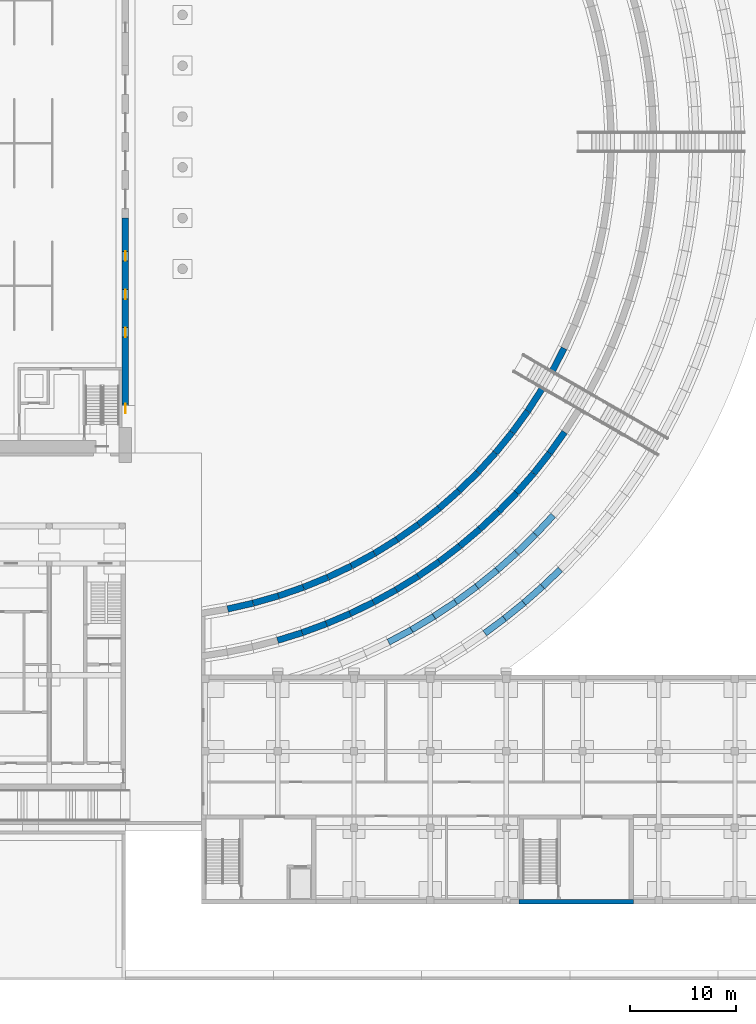
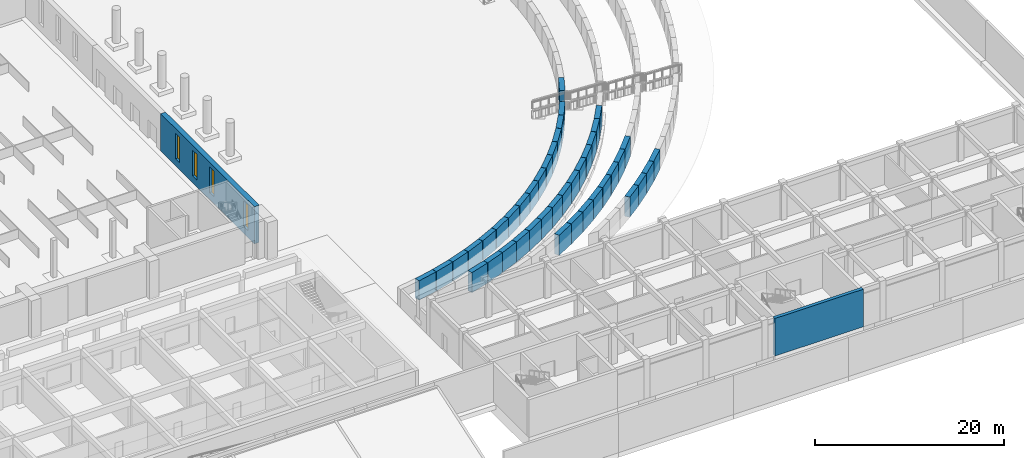
# One storey, part 45 of 73: 44 walls, 4 windows, 4 openings.
"""IFC4 building model written with IfcOpenShell, lengths in metres."""

from ifc_helpers import new_model, si_unit, direction, frame, frame_2d, origin, place, context, subcontext, project, spatial, rectangle, extrude, material, layer, layer_set, type_object, element, fill, save


model = new_model("IFC4")

# Units and contexts
model_context = context("Model", 3, precision=1e-05, world=origin(), true_north=direction((0.0, 1.0)))
body_context = subcontext(model_context, "Body", "Model", "MODEL_VIEW")
ifc_project = project(units=[si_unit("LENGTHUNIT", "METRE"), si_unit("AREAUNIT", "SQUARE_METRE"), si_unit("VOLUMEUNIT", "CUBIC_METRE"), si_unit("PLANEANGLEUNIT", "RADIAN"), si_unit("MASSUNIT", "GRAM", prefix="KILO")], contexts=[model_context])

# Site, building, storey
site_placement = place(None, origin())
site = spatial("IfcSite", under=ifc_project, at=site_placement, CompositionType="ELEMENT")
building_placement = place(site_placement, origin())
building = spatial("IfcBuilding", under=site, at=building_placement, Name="Alderwick Market Hall", CompositionType="ELEMENT")
storey_placement = place(building_placement, origin())
storey = spatial("IfcBuildingStorey", under=building, at=storey_placement, Name="LG", CompositionType="ELEMENT", Elevation=0.0)

# Wall
ifc_material_1 = material(Name="Concrete 5000 psi (f'c 35 MPa)", Category="concrete")
ifc_layer_1 = layer(ifc_material_1, 0.39990234375)
ifc_layer_set_1 = layer_set([ifc_layer_1], Name="Concrete 5000 psi (f'c 35 MPa)")
wall_type_1 = type_object("IfcWallType", Name="C Core Wall Concrete 5000 psi 400", PredefinedType="SHEAR", material=ifc_layer_set_1)
wall_1_placement = place(storey_placement, frame((199.199951171875, 7.39990234375, -0.300048828125), z_axis=(0.0, 0.0, 1.0), x_axis=(-1.0, 0.0, 0.0)))
element("IfcWall", 1, at=wall_1_placement, inside=storey, type_object=wall_type_1, Name="C.wall.LG.fac.back.06", PredefinedType="SHEAR", context=body_context, shape_type="SweptSolid", body=[
    extrude(rectangle(XDim=10.800048828125, YDim=0.39990234375, at=frame_2d((5.39990234375, 0.0))), origin(), (0.0, 0.0, 1.0), 4.85009765625),
])

# Wall, openings, windows
ifc_layer_2 = layer(ifc_material_1, 0.60009765625)
ifc_layer_set_2 = layer_set([ifc_layer_2], Name="Concrete 5000 psi (f'c 35 MPa)")
wall_type_2 = type_object("IfcWallType", Name="R Gable Wall 600", PredefinedType="SOLIDWALL", material=ifc_layer_set_2)
wall_2_placement = place(storey_placement, frame((151.199951171875, 52.199951171875, 0.0), z_axis=(0.0, 0.0, 1.0), x_axis=(0.0, 1.0, 0.0)))
wall_2 = element("IfcWall", 2, at=wall_2_placement, inside=storey, type_object=wall_type_2, Name="East gable wall S LG", PredefinedType="SOLIDWALL", context=body_context, shape_type="SweptSolid", body=[
    extrude(rectangle(XDim=19.800048828125, YDim=0.60009765625, at=frame_2d((9.89990234375, 0.0))), origin(), (0.0, 0.0, 1.0), 4.800048828125),
])
opening_1_placement = place(wall_2_placement, frame((1.35009765625, 0.0, 0.89990234375)))
opening_1 = element("IfcOpeningElement", 3, at=opening_1_placement, cuts=wall_2, Name="Opening R-W047", PredefinedType="OPENING", context=body_context, shape_type="SweptSolid", body=[
    extrude(rectangle(XDim=0.89990234375, YDim=3.300048828125, at=frame_2d((0.449951171875, 1.64990234375))), frame((0.0, 0.31005859375, 0.0), z_axis=(0.0, -1.0, 0.0), x_axis=(1.0, 0.0, 0.0)), (0.0, 0.0, 1.0), 0.6201171875),
])
opening_2_placement = place(wall_2_placement, frame((8.550048828125, 0.0, 0.89990234375)))
opening_2 = element("IfcOpeningElement", 4, at=opening_2_placement, cuts=wall_2, Name="Opening R-W048", PredefinedType="OPENING", context=body_context, shape_type="SweptSolid", body=[
    extrude(rectangle(XDim=0.89990234375, YDim=3.300048828125, at=frame_2d((0.449951171875, 1.64990234375))), frame((0.0, 0.31005859375, 0.0), z_axis=(0.0, -1.0, 0.0), x_axis=(1.0, 0.0, 0.0)), (0.0, 0.0, 1.0), 0.6201171875),
])
opening_3_placement = place(wall_2_placement, frame((12.14990234375, 0.0, 0.89990234375)))
opening_3 = element("IfcOpeningElement", 5, at=opening_3_placement, cuts=wall_2, Name="Opening R-W049", PredefinedType="OPENING", context=body_context, shape_type="SweptSolid", body=[
    extrude(rectangle(XDim=0.89990234375, YDim=3.300048828125, at=frame_2d((0.449951171875, 1.64990234375))), frame((0.0, 0.31005859375, 0.0), z_axis=(0.0, -1.0, 0.0), x_axis=(1.0, 0.0, 0.0)), (0.0, 0.0, 1.0), 0.6201171875),
])
opening_4_placement = place(wall_2_placement, frame((15.75, 0.0, 0.89990234375)))
opening_4 = element("IfcOpeningElement", 6, at=opening_4_placement, cuts=wall_2, Name="Opening R-W050", PredefinedType="OPENING", context=body_context, shape_type="SweptSolid", body=[
    extrude(rectangle(XDim=0.89990234375, YDim=3.300048828125, at=frame_2d((0.449951171875, 1.64990234375))), frame((0.0, 0.31005859375, 0.0), z_axis=(0.0, -1.0, 0.0), x_axis=(1.0, 0.0, 0.0)), (0.0, 0.0, 1.0), 0.6201171875),
])
ifc_material_2 = material(Name="Aluminium", Category="aluminium")
window_type = type_object("IfcWindowType", Name="R Gable Window 900x3300", PartitioningType="SINGLE_PANEL", PredefinedType="WINDOW", material=ifc_material_2)
window_1_placement = place(opening_1_placement, origin())
window_1 = element("IfcWindow", 7, at=window_1_placement, inside=storey, type_object=window_type, Name="Gable window R-W047", OverallHeight=3.300048828125, OverallWidth=0.89990234375, PartitioningType="SINGLE_PANEL", PredefinedType="WINDOW", context=body_context, shape_type="SweptSolid", body=[
    extrude(rectangle(XDim=0.89990234375, YDim=3.300048828125, at=frame_2d((0.449951171875, 1.64990234375))), frame((0.0, 0.030029296875, 0.0), z_axis=(0.0, -1.0, 0.0), x_axis=(1.0, 0.0, 0.0)), (0.0, 0.0, 1.0), 0.06005859375),
])
fill(opening_1, window_1)
window_2_placement = place(opening_2_placement, origin())
window_2 = element("IfcWindow", 8, at=window_2_placement, inside=storey, type_object=window_type, Name="Gable window R-W048", OverallHeight=3.300048828125, OverallWidth=0.89990234375, PartitioningType="SINGLE_PANEL", PredefinedType="WINDOW", context=body_context, shape_type="SweptSolid", body=[
    extrude(rectangle(XDim=0.89990234375, YDim=3.300048828125, at=frame_2d((0.449951171875, 1.64990234375))), frame((0.0, 0.030029296875, 0.0), z_axis=(0.0, -1.0, 0.0), x_axis=(1.0, 0.0, 0.0)), (0.0, 0.0, 1.0), 0.06005859375),
])
fill(opening_2, window_2)
window_3_placement = place(opening_3_placement, origin())
window_3 = element("IfcWindow", 9, at=window_3_placement, inside=storey, type_object=window_type, Name="Gable window R-W049", OverallHeight=3.300048828125, OverallWidth=0.89990234375, PartitioningType="SINGLE_PANEL", PredefinedType="WINDOW", context=body_context, shape_type="SweptSolid", body=[
    extrude(rectangle(XDim=0.89990234375, YDim=3.300048828125, at=frame_2d((0.449951171875, 1.64990234375))), frame((0.0, 0.030029296875, 0.0), z_axis=(0.0, -1.0, 0.0), x_axis=(1.0, 0.0, 0.0)), (0.0, 0.0, 1.0), 0.06005859375),
])
fill(opening_3, window_3)
window_4_placement = place(opening_4_placement, origin())
window_4 = element("IfcWindow", 10, at=window_4_placement, inside=storey, type_object=window_type, Name="Gable window R-W050", OverallHeight=3.300048828125, OverallWidth=0.89990234375, PartitioningType="SINGLE_PANEL", PredefinedType="WINDOW", context=body_context, shape_type="SweptSolid", body=[
    extrude(rectangle(XDim=0.89990234375, YDim=3.300048828125, at=frame_2d((0.449951171875, 1.64990234375))), frame((0.0, 0.030029296875, 0.0), z_axis=(0.0, -1.0, 0.0), x_axis=(1.0, 0.0, 0.0)), (0.0, 0.0, 1.0), 0.06005859375),
])
fill(opening_4, window_4)

# Walls
ifc_layer_3 = layer(ifc_material_1, 0.60009765625)
ifc_layer_set_3 = layer_set([ifc_layer_3], Name="Concrete 5000 psi (f'c 35 MPa)")
wall_type_3 = type_object("IfcWallType", Name="S Terrace Wall 600", PredefinedType="SOLIDWALL", material=ifc_layer_set_3)
for number, where, z_axis, x_axis, name in (
    (11, (160.8603515625, 35.061279296875, -0.199951171875), (0.0, 0.0, 1.0), (0.975174576332, 0.221437453193, 0.0), "Terrace wall W1.02"),
    (12, (163.285888671875, 35.61279296875, -0.199951171875), (0.0, 0.0, 1.0), (0.961445604339, 0.27499518159, 0.0), "Terrace wall W1.03"),
):
    element("IfcWall", number, at=place(storey_placement, frame(where, z_axis=z_axis, x_axis=x_axis)), inside=storey, type_object=wall_type_3, Name=name, PredefinedType="SOLIDWALL", context=body_context, shape_type="SweptSolid", body=[
        extrude(rectangle(XDim=2.470703125, YDim=0.60009765625, at=frame_2d((1.2353515625, 0.0))), origin(), (0.0, 0.0, 1.0), 2.5),
    ])
for number, where, z_axis, x_axis, name in (
    (13, (165.677001953125, 36.29736328125, -0.199951171875), (0.0, 0.0, 1.0), (0.944769723893, 0.327734906312, 0.0), "Terrace wall W1.04"),
    (14, (168.02685546875, 37.113037109375, -0.199951171875), (0.0, 0.0, 1.0), (0.92522554551, 0.379417566719, 0.0), "Terrace wall W1.05"),
):
    element("IfcWall", number, at=place(storey_placement, frame(where, z_axis=z_axis, x_axis=x_axis)), inside=storey, type_object=wall_type_3, Name=name, PredefinedType="SOLIDWALL", context=body_context, shape_type="SweptSolid", body=[
        extrude(rectangle(XDim=2.470947265625, YDim=0.60009765625, at=frame_2d((1.2353515625, 0.0))), origin(), (0.0, 0.0, 1.0), 2.5),
    ])
wall_3_placement = place(storey_placement, frame((170.328125, 38.057373046875, -0.199951171875), z_axis=(0.0, 0.0, 1.0), x_axis=(0.902802059855, 0.430056322733, 0.0)))
element("IfcWall", 15, at=wall_3_placement, inside=storey, type_object=wall_type_3, Name="Terrace wall W1.06", PredefinedType="SOLIDWALL", context=body_context, shape_type="SweptSolid", body=[
    extrude(rectangle(XDim=2.470703125, YDim=0.60009765625, at=frame_2d((1.2353515625, 0.0))), origin(), (0.0, 0.0, 1.0), 2.5),
])
for number, where, z_axis, x_axis, name in (
    (16, (172.573486328125, 39.12744140625, -0.199951171875), (0.0, 0.0, 1.0), (0.877699144565, 0.479212073752, 0.0), "Terrace wall W1.07"),
    (17, (174.75634765625, 40.31982421875, -0.199951171875), (0.0, 0.0, 1.0), (0.84984162018, 0.527038158591, 0.0), "Terrace wall W1.08"),
):
    element("IfcWall", number, at=place(storey_placement, frame(where, z_axis=z_axis, x_axis=x_axis)), inside=storey, type_object=wall_type_3, Name=name, PredefinedType="SOLIDWALL", context=body_context, shape_type="SweptSolid", body=[
        extrude(rectangle(XDim=2.470947265625, YDim=0.60009765625, at=frame_2d((1.2353515625, 0.0))), origin(), (0.0, 0.0, 1.0), 2.5),
    ])
for number, where, z_axis, x_axis, name in (
    (18, (176.8701171875, 41.631103515625, -0.199951171875), (0.0, 0.0, 1.0), (0.819468607578, 0.57312407138, 0.0), "Terrace wall W1.09"),
    (19, (178.908203125, 43.05712890625, -0.199951171875), (0.0, 0.0, 1.0), (0.786486330207, 0.617607684859, 0.0), "Terrace wall W1.10"),
):
    element("IfcWall", number, at=place(storey_placement, frame(where, z_axis=z_axis, x_axis=x_axis)), inside=storey, type_object=wall_type_3, Name=name, PredefinedType="SOLIDWALL", context=body_context, shape_type="SweptSolid", body=[
        extrude(rectangle(XDim=2.470703125, YDim=0.60009765625, at=frame_2d((1.2353515625, 0.0))), origin(), (0.0, 0.0, 1.0), 2.5),
    ])
wall_4_placement = place(storey_placement, frame((180.864013671875, 44.593505859375, -0.199951171875), z_axis=(0.0, 0.0, 1.0), x_axis=(0.751185682169, 0.660090956539, 0.0)))
element("IfcWall", 20, at=wall_4_placement, inside=storey, type_object=wall_type_3, Name="Terrace wall W1.11", PredefinedType="SOLIDWALL", context=body_context, shape_type="SweptSolid", body=[
    extrude(rectangle(XDim=2.470947265625, YDim=0.60009765625, at=frame_2d((1.2353515625, 0.0))), origin(), (0.0, 0.0, 1.0), 2.5),
])
for number, where, z_axis, x_axis, name in (
    (21, (182.732421875, 46.23583984375, -0.199951171875), (0.0, 0.0, 1.0), (0.713549599416, 0.700604716779, 0.0), "Terrace wall W1.12"),
    (22, (184.5068359375, 47.978759765625, -0.199951171875), (0.0, 0.0, 1.0), (0.67379829148, 0.738915328301, 0.0), "Terrace wall W1.13"),
    (23, (186.1826171875, 49.81689453125, -0.199951171875), (0.0, 0.0, 1.0), (0.631886267624, 0.775061123259, 0.0), "Terrace wall W1.14"),
    (24, (187.75390625, 51.7451171875, -0.199951171875), (0.0, 0.0, 1.0), (0.588124694563, 0.808770266297, 0.0), "Terrace wall W1.15"),
):
    element("IfcWall", number, at=place(storey_placement, frame(where, z_axis=z_axis, x_axis=x_axis)), inside=storey, type_object=wall_type_3, Name=name, PredefinedType="SOLIDWALL", context=body_context, shape_type="SweptSolid", body=[
        extrude(rectangle(XDim=2.470703125, YDim=0.60009765625, at=frame_2d((1.2353515625, 0.0))), origin(), (0.0, 0.0, 1.0), 2.5),
    ])
wall_5_placement = place(storey_placement, frame((189.216552734375, 53.757080078125, -0.199951171875), z_axis=(0.0, 0.0, 1.0), x_axis=(0.542528327067, 0.840037507693, 0.0)))
element("IfcWall", 25, at=wall_5_placement, inside=storey, type_object=wall_type_3, Name="Terrace wall W1.16", PredefinedType="SOLIDWALL", context=body_context, shape_type="SweptSolid", body=[
    extrude(rectangle(XDim=2.47900390625, YDim=0.60009765625, at=frame_2d((1.239501953125, 0.0))), origin(), (0.0, 0.0, 1.0), 2.5),
])
wall_6_placement = place(storey_placement, frame((191.5615234375, 57.571533203125, -0.199951171875), z_axis=(0.0, 0.0, 1.0), x_axis=(0.457084595732, 0.889423224536, 0.0)))
element("IfcWall", 26, at=wall_6_placement, inside=storey, type_object=wall_type_3, Name="Terrace wall W1.17", PredefinedType="SOLIDWALL", context=body_context, shape_type="SweptSolid", body=[
    extrude(rectangle(XDim=2.387451171875, YDim=0.60009765625, at=frame_2d((1.19384765625, 0.0))), origin(), (0.0, 0.0, 1.0), 2.5),
])
for number, where, z_axis, x_axis, name in (
    (27, (165.581298828125, 32.09130859375, 0.89990234375), (0.0, 0.0, 1.0), (0.95430453519, 0.29883583138, 0.0), "Terrace wall W2.04"),
    (28, (167.913330078125, 32.822021484375, 0.89990234375), (0.0, 0.0, 1.0), (0.938207471925, 0.346073315389, 0.0), "Terrace wall W2.05"),
    (29, (170.2060546875, 33.668212890625, 0.89990234375), (0.0, 0.0, 1.0), (0.91979364717, 0.39240240395, 0.0), "Terrace wall W2.06"),
    (30, (172.453857421875, 34.627685546875, 0.89990234375), (0.0, 0.0, 1.0), (0.899101462983, 0.437740287456, 0.0), "Terrace wall W2.07"),
    (31, (174.65087890625, 35.697998046875, 0.89990234375), (0.0, 0.0, 1.0), (0.876145870369, 0.482046070241, 0.0), "Terrace wall W2.08"),
    (32, (176.7919921875, 36.87646484375, 0.89990234375), (0.0, 0.0, 1.0), (0.850977707641, 0.525201809877, 0.0), "Terrace wall W2.09"),
):
    element("IfcWall", number, at=place(storey_placement, frame(where, z_axis=z_axis, x_axis=x_axis)), inside=storey, type_object=wall_type_3, Name=name, PredefinedType="SOLIDWALL", context=body_context, shape_type="SweptSolid", body=[
        extrude(rectangle(XDim=2.428955078125, YDim=0.60009765625, at=frame_2d((1.21435546875, 0.0))), origin(), (0.0, 0.0, 1.0), 2.60009765625),
    ])
wall_7_placement = place(storey_placement, frame((178.87158203125, 38.16015625, 0.89990234375), z_axis=(0.0, 0.0, 1.0), x_axis=(0.823763194222, 0.566934034827, 0.0)))
element("IfcWall", 33, at=wall_7_placement, inside=storey, type_object=wall_type_3, Name="Terrace wall W2.10", PredefinedType="SOLIDWALL", context=body_context, shape_type="SweptSolid", body=[
    extrude(rectangle(XDim=2.4287109375, YDim=0.60009765625, at=frame_2d((1.21435546875, 0.0))), origin(), (0.0, 0.0, 1.0), 2.60009765625),
])
wall_8_placement = place(storey_placement, frame((180.884521484375, 39.5458984375, 0.89990234375), z_axis=(0.0, 0.0, 1.0), x_axis=(0.794417739093, 0.607371760797, 0.0)))
element("IfcWall", 34, at=wall_8_placement, inside=storey, type_object=wall_type_3, Name="Terrace wall W2.11", PredefinedType="SOLIDWALL", context=body_context, shape_type="SweptSolid", body=[
    extrude(rectangle(XDim=2.428955078125, YDim=0.60009765625, at=frame_2d((1.21435546875, 0.0))), origin(), (0.0, 0.0, 1.0), 2.60009765625),
])
wall_9_placement = place(storey_placement, frame((182.82568359375, 41.030517578125, 0.89990234375), z_axis=(0.0, 0.0, 1.0), x_axis=(0.76322233638, 0.646135949511, 0.0)))
element("IfcWall", 35, at=wall_9_placement, inside=storey, type_object=wall_type_3, Name="Terrace wall W2.12", PredefinedType="SOLIDWALL", context=body_context, shape_type="SweptSolid", body=[
    extrude(rectangle(XDim=2.42919921875, YDim=0.60009765625, at=frame_2d((1.214599609375, 0.0))), origin(), (0.0, 0.0, 1.0), 2.60009765625),
])
for number, where, z_axis, x_axis, name in (
    (36, (184.690673828125, 42.610107421875, 0.89990234375), (0.0, 0.0, 1.0), (0.730041671093, 0.683402632763, 0.0), "Terrace wall W2.13"),
    (37, (186.474609375, 44.280517578125, 0.89990234375), (0.0, 0.0, 1.0), (0.695044612252, 0.718966610476, 0.0), "Terrace wall W2.14"),
    (38, (188.1728515625, 46.037841796875, 0.89990234375), (0.0, 0.0, 1.0), (0.658340929889, 0.752719881518, 0.0), "Terrace wall W2.15"),
):
    element("IfcWall", number, at=place(storey_placement, frame(where, z_axis=z_axis, x_axis=x_axis)), inside=storey, type_object=wall_type_3, Name=name, PredefinedType="SOLIDWALL", context=body_context, shape_type="SweptSolid", body=[
        extrude(rectangle(XDim=2.428955078125, YDim=0.60009765625, at=frame_2d((1.21435546875, 0.0))), origin(), (0.0, 0.0, 1.0), 2.60009765625),
    ])
for number, where, z_axis, x_axis, name in (
    (39, (189.781494140625, 47.877685546875, 0.89990234375), (0.0, 0.0, 1.0), (0.619927760488, 0.784658888802, 0.0), "Terrace wall W2.16"),
    (40, (191.29638671875, 49.79541015625, 0.89990234375), (0.0, 0.0, 1.0), (0.580020605224, 0.81460180304, 0.0), "Terrace wall W2.17"),
):
    element("IfcWall", number, at=place(storey_placement, frame(where, z_axis=z_axis, x_axis=x_axis)), inside=storey, type_object=wall_type_3, Name=name, PredefinedType="SOLIDWALL", context=body_context, shape_type="SweptSolid", body=[
        extrude(rectangle(XDim=2.42919921875, YDim=0.60009765625, at=frame_2d((1.214599609375, 0.0))), origin(), (0.0, 0.0, 1.0), 2.60009765625),
    ])
for number, where, z_axis, x_axis, name in (
    (41, (176.07177734375, 31.931396484375, 2.10009765625), (0.0, 0.0, 1.0), (0.881169361481, 0.472800757599, 0.0), "Terrace wall W3.04"),
    (42, (178.247314453125, 33.09912109375, 2.10009765625), (0.0, 0.0, 1.0), (0.858176476516, 0.513354784875, 0.0), "Terrace wall W3.05"),
    (43, (180.3662109375, 34.366943359375, 2.10009765625), (0.0, 0.0, 1.0), (0.83334828652, 0.552748254953, 0.0), "Terrace wall W3.06"),
    (44, (182.423583984375, 35.732177734375, 2.10009765625), (0.0, 0.0, 1.0), (0.806714685011, 0.590941128192, 0.0), "Terrace wall W3.07"),
    (45, (184.415283203125, 37.191650390625, 2.10009765625), (0.0, 0.0, 1.0), (0.778271956086, 0.627927354373, 0.0), "Terrace wall W3.08"),
):
    element("IfcWall", number, at=place(storey_placement, frame(where, z_axis=z_axis, x_axis=x_axis)), inside=storey, type_object=wall_type_3, Name=name, PredefinedType="SOLIDWALL", context=body_context, shape_type="SweptSolid", body=[
        extrude(rectangle(XDim=2.455322265625, YDim=0.60009765625, at=frame_2d((1.2275390625, 0.0))), origin(), (0.0, 0.0, 1.0), 2.599853515625),
    ])
wall_10_placement = place(storey_placement, frame((186.3369140625, 38.742431640625, 2.10009765625), z_axis=(0.0, 0.0, 1.0), x_axis=(0.74819883683, 0.663474566631, 0.0)))
element("IfcWall", 46, at=wall_10_placement, inside=storey, type_object=wall_type_3, Name="Terrace wall W3.09", PredefinedType="SOLIDWALL", context=body_context, shape_type="SweptSolid", body=[
    extrude(rectangle(XDim=2.455078125, YDim=0.60009765625, at=frame_2d((1.2275390625, 0.0))), origin(), (0.0, 0.0, 1.0), 2.599853515625),
])
wall_11_placement = place(storey_placement, frame((188.18408203125, 40.380859375, 2.10009765625), z_axis=(0.0, 0.0, 1.0), x_axis=(0.716441105464, 0.697647577507, 0.0)))
element("IfcWall", 47, at=wall_11_placement, inside=storey, type_object=wall_type_3, Name="Terrace wall W3.10", PredefinedType="SOLIDWALL", context=body_context, shape_type="SweptSolid", body=[
    extrude(rectangle(XDim=2.455322265625, YDim=0.60009765625, at=frame_2d((1.2275390625, 0.0))), origin(), (0.0, 0.0, 1.0), 2.599853515625),
])
wall_12_placement = place(storey_placement, frame((189.952880859375, 42.103759765625, 2.10009765625), z_axis=(0.0, 0.0, 1.0), x_axis=(0.683249499499, 0.730184991242, 0.0)))
element("IfcWall", 48, at=wall_12_placement, inside=storey, type_object=wall_type_3, Name="Terrace wall W3.11", PredefinedType="SOLIDWALL", context=body_context, shape_type="SweptSolid", body=[
    extrude(rectangle(XDim=2.455078125, YDim=0.60009765625, at=frame_2d((1.2275390625, 0.0))), origin(), (0.0, 0.0, 1.0), 2.599853515625),
])
wall_13_placement = place(storey_placement, frame((185.15966796875, 32.766845703125, 3.300048828125), z_axis=(0.0, 0.0, 1.0), x_axis=(0.802594806015, 0.596524582359, 0.0)))
element("IfcWall", 49, at=wall_13_placement, inside=storey, type_object=wall_type_3, Name="Terrace wall W4.04", PredefinedType="SOLIDWALL", context=body_context, shape_type="SweptSolid", body=[
    extrude(rectangle(XDim=2.330322265625, YDim=0.60009765625, at=frame_2d((1.1650390625, 0.0))), origin(), (0.0, 0.0, 1.0), 2.599853515625),
])
for number, where, z_axis, x_axis, name in (
    (50, (187.039794921875, 34.16455078125, 3.300048828125), (0.0, 0.0, 1.0), (0.777422931337, 0.628978207755, 0.0), "Terrace wall W4.05"),
    (51, (188.86083984375, 35.63818359375, 3.300048828125), (0.0, 0.0, 1.0), (0.750912987783, 0.660401154434, 0.0), "Terrace wall W4.06"),
    (52, (190.619873046875, 37.185791015625, 3.300048828125), (0.0, 0.0, 1.0), (0.723158112811, 0.69068252032, 0.0), "Terrace wall W4.07"),
):
    element("IfcWall", number, at=place(storey_placement, frame(where, z_axis=z_axis, x_axis=x_axis)), inside=storey, type_object=wall_type_3, Name=name, PredefinedType="SOLIDWALL", context=body_context, shape_type="SweptSolid", body=[
        extrude(rectangle(XDim=2.33056640625, YDim=0.60009765625, at=frame_2d((1.165283203125, 0.0))), origin(), (0.0, 0.0, 1.0), 2.599853515625),
    ])

save(model, "model.ifc")
